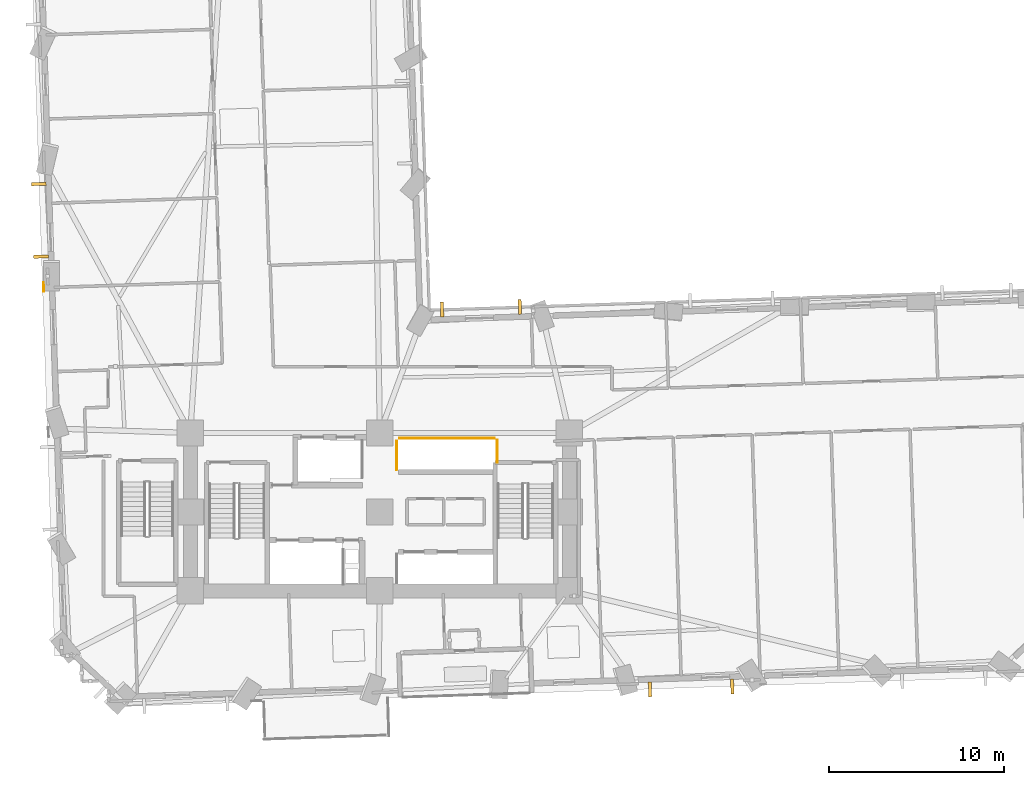
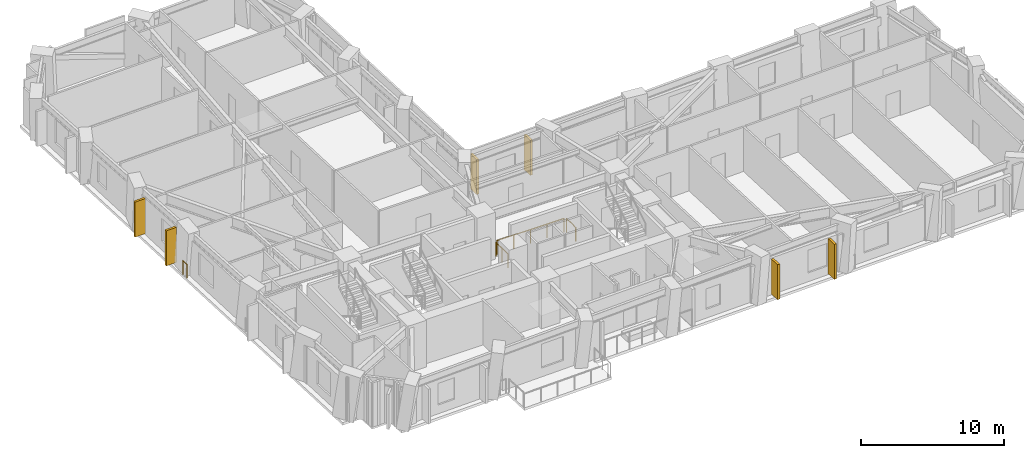
# One storey, part 12 of 14: 6 shading devices, 4 railings.
"""IFC4 building model written with IfcOpenShell, lengths in metres."""

from ifc_helpers import new_model, si_unit, direction, frame, origin, origin_2d, place, context, subcontext, project, spatial, rectangle, circle, extrude, material, layer, layer_set, type_object, element, save


model = new_model("IFC4")

# Units and contexts
model_context = context("Model", 3, precision=1e-05, world=origin(), true_north=direction((0.0, 1.0)))
body_context = subcontext(model_context, "Body", "Model", "MODEL_VIEW")
ifc_project = project(units=[si_unit("LENGTHUNIT", "METRE"), si_unit("AREAUNIT", "SQUARE_METRE"), si_unit("VOLUMEUNIT", "CUBIC_METRE"), si_unit("PLANEANGLEUNIT", "RADIAN"), si_unit("MASSUNIT", "GRAM", prefix="KILO")], contexts=[model_context])

# Site, building, storey
site_placement = place(None, origin())
site = spatial("IfcSite", under=ifc_project, at=site_placement, CompositionType="ELEMENT")
building_placement = place(site_placement, origin())
building = spatial("IfcBuilding", under=site, at=building_placement, Name="Gaonmaruhae Medical Tower", CompositionType="ELEMENT")
storey_placement = place(building_placement, frame((0.0, 0.0, 31.0)))
storey = spatial("IfcBuildingStorey", under=building, at=storey_placement, Name="L06", CompositionType="ELEMENT", Elevation=31.0)

# Railing
ifc_material_1 = material(Name="Stainless steel 316L and laminated safety glass", Category="steel")
ifc_layer = layer(ifc_material_1, 0.080078125)
ifc_layer_set = layer_set([ifc_layer], Name="Stainless steel 316L and laminated safety glass")
railing_type_1 = type_object("IfcRailingType", Name="GD-120 Outdoor Terrace Safety Glass & Steel Balustrade", PredefinedType="BALUSTRADE", material=ifc_layer_set)
railing_1_placement = place(storey_placement, frame((5.65283203125, 24.85400390625, 0.0)))
element("IfcRailing", 1, at=railing_1_placement, inside=storey, type_object=railing_type_1, Name="L06 Perimeter Slab Edge Safety Balustrade 02", PredefinedType="BALUSTRADE", context=body_context, shape_type="SweptSolid", body=[
    extrude(circle(Radius=0.02392578125, at=origin_2d()), frame((0.0, 0.0, 1.17578125), z_axis=(-0.033361766448, 0.999443341335, 0.0), x_axis=(-0.999443341335, -0.033361766448, 0.0)), (0.0, 0.0, 1.0), 0.51953125),
    extrude(circle(Radius=0.02099609375, at=origin_2d()), origin(), (0.0, 0.0, 1.0), 1.15185546875),
    extrude(circle(Radius=0.02099609375, at=origin_2d()), frame((-0.017333984375, 0.519287109375, 0.0)), (0.0, 0.0, 1.0), 1.15185546875),
])

# Shading devices
ifc_material_2 = material(Name="Pigmented coral precast concrete C45/55", Category="concrete")
shading_device_type = type_object("IfcShadingDeviceType", Name="SD-FIN1 Tower Vertical Coral Precast Shading Fin", PredefinedType="USERDEFINED", material=ifc_material_2)
for number, where, z_axis, x_axis, name in (
    (2, (44.88427734375, 2.3466796875, 0.072509765625), (0.0, 0.0, 1.0), (-0.999450215942, -0.033155178389, 0.0), "L06 Vertical Coral Precast Shading Fin S05"),
    (3, (40.194091796875, 2.191162109375, 0.072509765625), (0.0, 0.0, 1.0), (-0.999450215942, -0.033155178389, 0.0), "L06 Vertical Coral Precast Shading Fin S05B"),
    (4, (28.345947265625, 23.840087890625, 0.08251953125), (0.0, 0.0, 1.0), (0.999450215942, 0.033155178389, 0.0), "L06 Vertical Coral Precast Shading Fin EN04"),
    (5, (32.77978515625, 23.9873046875, 0.08251953125), (0.0, 0.0, 1.0), (0.999450215942, 0.033155178389, 0.0), "L06 Vertical Coral Precast Shading Fin EN04B"),
    (6, (5.501708984375, 26.849609375, 0.08251953125), (0.0, 0.0, 1.0), (-0.033155178389, 0.999450215942, 0.0), "L06 Vertical Coral Precast Shading Fin W03"),
    (7, (5.364501953125, 30.985107421875, 0.08251953125), (0.0, 0.0, 1.0), (-0.033155178389, 0.999450215942, 0.0), "L06 Vertical Coral Precast Shading Fin W03B"),
):
    element("IfcShadingDevice", number, at=place(storey_placement, frame(where, z_axis=z_axis, x_axis=x_axis)), inside=storey, type_object=shading_device_type, Name=name, ObjectType="FIN", PredefinedType="USERDEFINED", context=body_context, shape_type="SweptSolid", body=[
        extrude(rectangle(XDim=0.179931640625, YDim=0.85009765625, at=origin_2d()), origin(), (0.0, 0.0, 1.0), 3.0),
    ])

# Railings
ifc_material_3 = material(Name="Stainless steel 304 balustrade", Category="steel")
railing_type_2 = type_object("IfcRailingType", Name="SG-112 Stair Well & Ramp Void Safety Balustrade", PredefinedType="BALUSTRADE", material=ifc_material_3)
railing_2_placement = place(storey_placement, frame((31.4951171875, 16.405029296875, 0.0)))
element("IfcRailing", 8, at=railing_2_placement, inside=storey, type_object=railing_type_2, Name="L06 Shaft Edge Safety Guard 16", PredefinedType="BALUSTRADE", context=body_context, shape_type="SweptSolid", body=[
    extrude(circle(Radius=0.02392578125, at=origin_2d()), frame((0.0, 0.0, 1.17578125), z_axis=(0.0, -1.0, 0.0), x_axis=(1.0, 0.0, 0.0)), (0.0, 0.0, 1.0), 1.284912109375),
    extrude(circle(Radius=0.02099609375, at=origin_2d()), origin(), (0.0, 0.0, 1.0), 1.15185546875),
    extrude(circle(Radius=0.02099609375, at=origin_2d()), frame((0.0, -1.284912109375, 0.0)), (0.0, 0.0, 1.0), 1.15185546875),
])
railing_3_placement = place(storey_placement, frame((25.7548828125, 14.695068359375, 0.0)))
element("IfcRailing", 9, at=railing_3_placement, inside=storey, type_object=railing_type_2, Name="L06 Shaft Edge Safety Guard 17", PredefinedType="BALUSTRADE", context=body_context, shape_type="SweptSolid", body=[
    extrude(circle(Radius=0.02392578125, at=origin_2d()), frame((0.0, 0.0, 1.17578125), z_axis=(0.0, 1.0, 0.0), x_axis=(-1.0, 0.0, 0.0)), (0.0, 0.0, 1.0), 1.635009765625),
    extrude(circle(Radius=0.02099609375, at=origin_2d()), origin(), (0.0, 0.0, 1.0), 1.15185546875),
    extrude(circle(Radius=0.02099609375, at=origin_2d()), frame((0.0, 0.8173828125, 0.0)), (0.0, 0.0, 1.0), 1.15185546875),
    extrude(circle(Radius=0.02099609375, at=origin_2d()), frame((0.0, 1.635009765625, 0.0)), (0.0, 0.0, 1.0), 1.15185546875),
])
railing_4_placement = place(storey_placement, frame((25.919921875, 16.4951171875, 0.0)))
element("IfcRailing", 10, at=railing_4_placement, inside=storey, type_object=railing_type_2, Name="L06 Shaft Edge Safety Guard 18", PredefinedType="BALUSTRADE", context=body_context, shape_type="SweptSolid", body=[
    extrude(circle(Radius=0.02392578125, at=origin_2d()), frame((0.0, 0.0, 1.17578125), z_axis=(1.0, 0.0, 0.0), x_axis=(0.0, 1.0, 0.0)), (0.0, 0.0, 1.0), 5.41015625),
    extrude(circle(Radius=0.02099609375, at=origin_2d()), origin(), (0.0, 0.0, 1.0), 1.15185546875),
    extrude(circle(Radius=0.02099609375, at=origin_2d()), frame((1.3525390625, 0.0, 0.0)), (0.0, 0.0, 1.0), 1.15185546875),
    extrude(circle(Radius=0.02099609375, at=origin_2d()), frame((2.705078125, 0.0, 0.0)), (0.0, 0.0, 1.0), 1.15185546875),
    extrude(circle(Radius=0.02099609375, at=origin_2d()), frame((4.0576171875, 0.0, 0.0)), (0.0, 0.0, 1.0), 1.15185546875),
    extrude(circle(Radius=0.02099609375, at=origin_2d()), frame((5.41015625, 0.0, 0.0)), (0.0, 0.0, 1.0), 1.15185546875),
])

save(model, "model.ifc")
